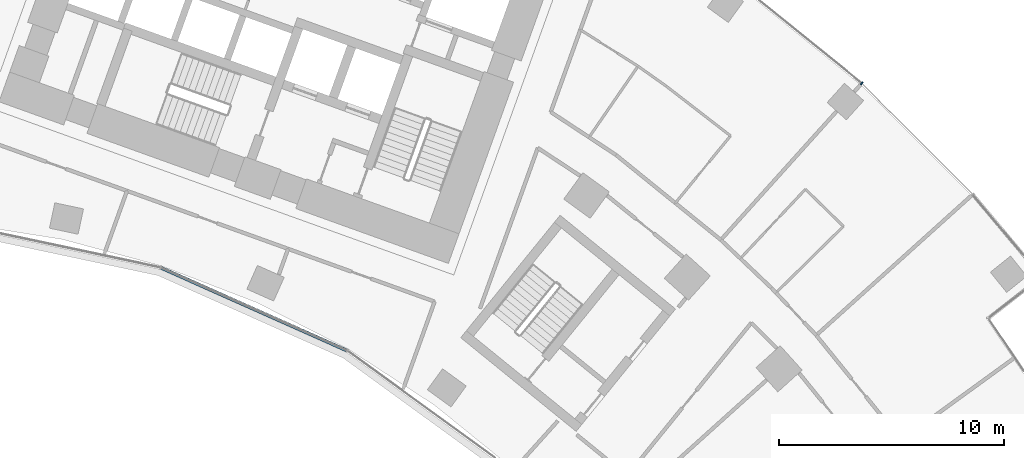
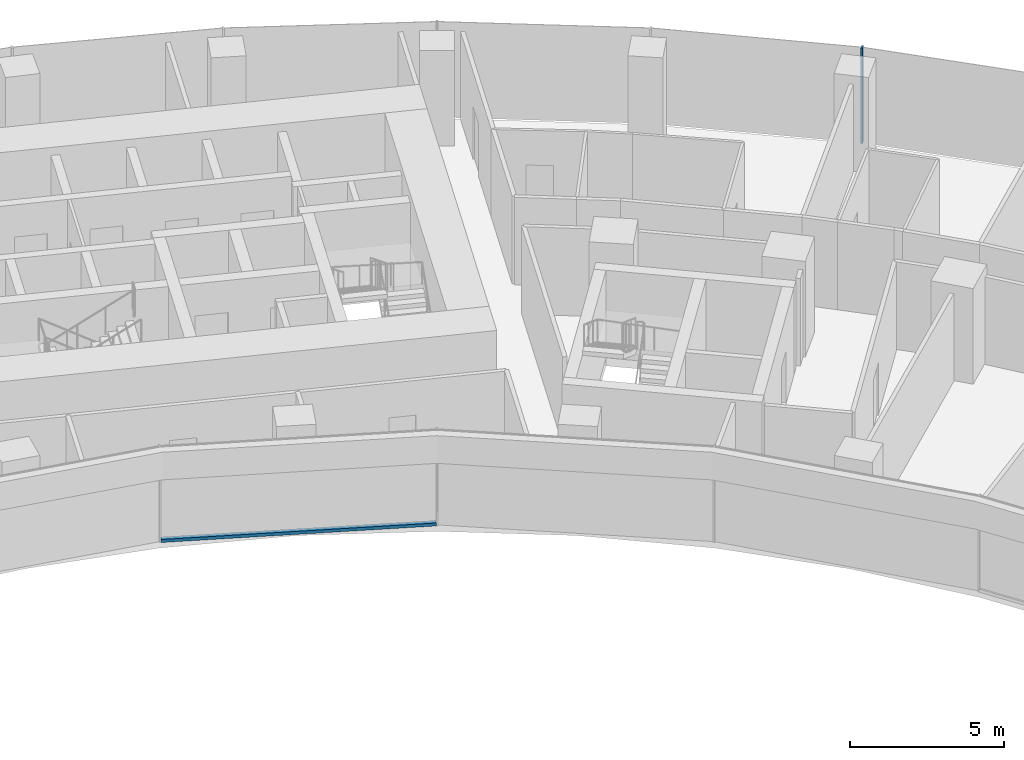
# One storey, part 8 of 21: 2 members, 2 elements without a shape of their own.
"""IFC4 building model written with IfcOpenShell, lengths in metres."""

from ifc_helpers import new_model, si_unit, direction, frame, origin, origin_2d, place, context, subcontext, project, spatial, rectangle, extrude, material, layer, layer_set, material_profile, profile_set, type_object, element, aggregate, save


model = new_model("IFC4")

# Units and contexts
model_context = context("Model", 3, precision=1e-05, world=origin(), true_north=direction((0.0, 1.0)))
body_context = subcontext(model_context, "Body", "Model", "MODEL_VIEW")
ifc_project = project(units=[si_unit("LENGTHUNIT", "METRE"), si_unit("AREAUNIT", "SQUARE_METRE"), si_unit("VOLUMEUNIT", "CUBIC_METRE"), si_unit("PLANEANGLEUNIT", "RADIAN"), si_unit("MASSUNIT", "GRAM", prefix="KILO")], contexts=[model_context])

# Site, building, storey
site_placement = place(None, origin())
site = spatial("IfcSite", under=ifc_project, at=site_placement, CompositionType="ELEMENT")
building_placement = place(site_placement, origin())
building = spatial("IfcBuilding", under=site, at=building_placement, Name="Stone Belt Terrace Tower", CompositionType="ELEMENT")
storey_placement = place(building_placement, frame((0.0, 0.0, 113.60009765625)))
storey = spatial("IfcBuildingStorey", under=building, at=storey_placement, Name="L27", CompositionType="ELEMENT", Elevation=113.60009765625)

# Curtain wall, member
ifc_material = material(Name="Aluminium 6063-T6 anodised frame", Category="aluminium")
ifc_layer_1 = layer(ifc_material, 0.14990234375)
ifc_layer_set_1 = layer_set([ifc_layer_1], Name="CW-A unitised convex-face curtain wall")
curtain_wall_type_1 = type_object("IfcCurtainWallType", Name="CW-A unitised convex-face curtain wall", PredefinedType="NOTDEFINED", material=ifc_layer_set_1)
curtain_wall_1_placement = place(storey_placement, origin())
curtain_wall_1 = element("IfcCurtainWall", 1, at=curtain_wall_1_placement, inside=storey, type_object=curtain_wall_type_1, Name="CW-A convex face L27", PredefinedType="NOTDEFINED")
ifc_material_profile_1 = material_profile(ifc_material, rectangle(XDim=0.14990234375, YDim=0.06005859375, at=origin_2d()), Name="Aluminium 6063-T6 60x150")
ifc_profile_set_1 = profile_set([ifc_material_profile_1], Name="Aluminium 6063-T6 anodised frame")
member_type_1 = type_object("IfcMemberType", Name="CW-A mullion 60 x 150", PredefinedType="MULLION", material=ifc_profile_set_1)
member_1_placement = place(storey_placement, frame((44.54736328125, 49.474853515625, 0.0), z_axis=(0.0, 0.0, 1.0), x_axis=(-0.669130606359, -0.743144825477, 0.0)))
member_1 = element("IfcMember", 2, at=member_1_placement, type_object=member_type_1, Name="CW-A mullion 3", PredefinedType="MULLION", context=body_context, shape_type="SweptSolid", body=[
    extrude(rectangle(XDim=0.14990234375, YDim=0.06005859375, at=origin_2d()), origin(), (0.0, 0.0, 1.0), 3.7998046875),
])
aggregate(curtain_wall_1, [member_1])

ifc_layer_2 = layer(ifc_material, 0.14990234375)
ifc_layer_set_2 = layer_set([ifc_layer_2], Name="CW-B unitised concave-face curtain wall")
curtain_wall_type_2 = type_object("IfcCurtainWallType", Name="CW-B unitised concave-face curtain wall", PredefinedType="NOTDEFINED", material=ifc_layer_set_2)
curtain_wall_2_placement = place(storey_placement, origin())
curtain_wall_2 = element("IfcCurtainWall", 3, at=curtain_wall_2_placement, inside=storey, type_object=curtain_wall_type_2, Name="CW-B concave face L27", PredefinedType="NOTDEFINED")
ifc_material_profile_2 = material_profile(ifc_material, rectangle(XDim=0.14990234375, YDim=0.1201171875, at=origin_2d()), Name="Aluminium 6063-T6 150x120")
ifc_profile_set_2 = profile_set([ifc_material_profile_2], Name="Aluminium 6063-T6 anodised frame")
member_type_2 = type_object("IfcMemberType", Name="CW-B transom 120 x 150", PredefinedType="USERDEFINED", material=ifc_profile_set_2)
member_2_placement = place(storey_placement, frame((13.44873046875, 41.285888671875, 0.059814453125), z_axis=(0.913548853737, -0.406729015237, 0.0), x_axis=(0.406729015237, 0.913548853737, 0.0)))
member_2 = element("IfcMember", 4, at=member_2_placement, type_object=member_type_2, Name="CW-B transom 7.1", ObjectType="TRANSOM", PredefinedType="USERDEFINED", context=body_context, shape_type="SweptSolid", body=[
    extrude(rectangle(XDim=0.14990234375, YDim=0.1201171875, at=origin_2d()), origin(), (0.0, 0.0, 1.0), 9.0126953125),
])
aggregate(curtain_wall_2, [member_2])

save(model, "model.ifc")
